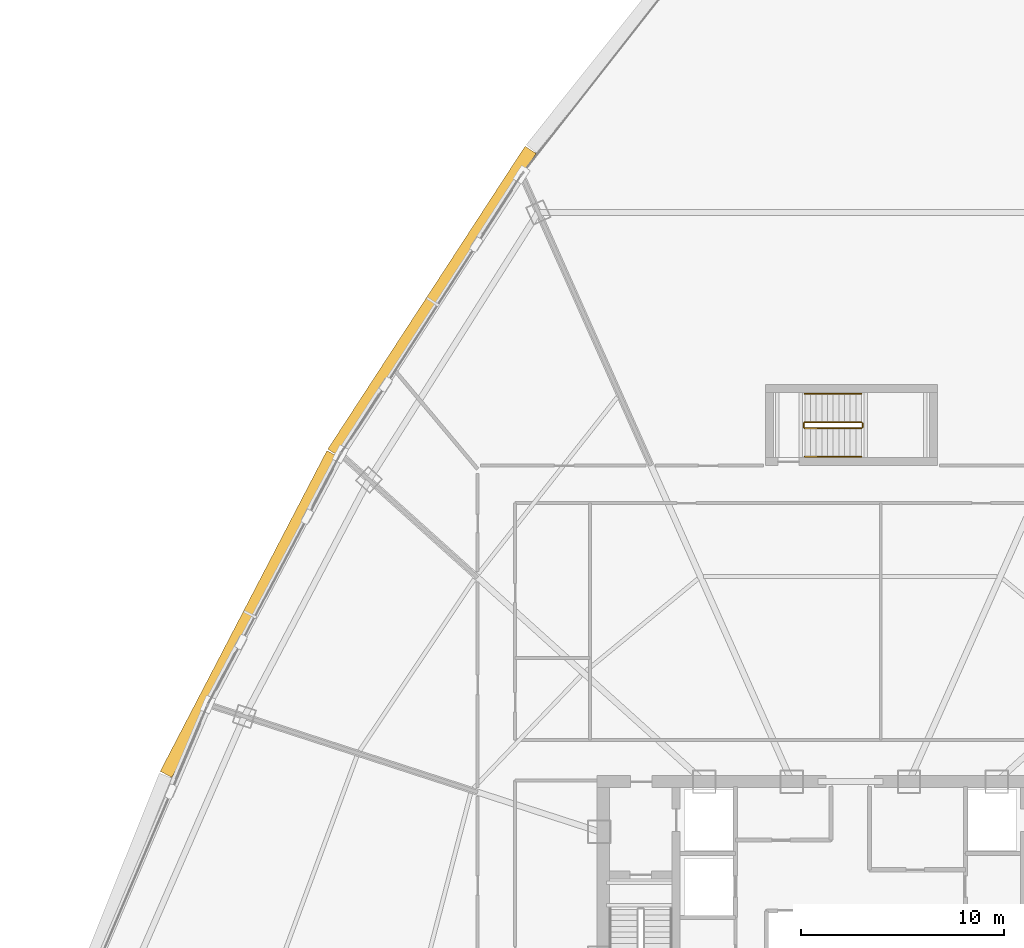
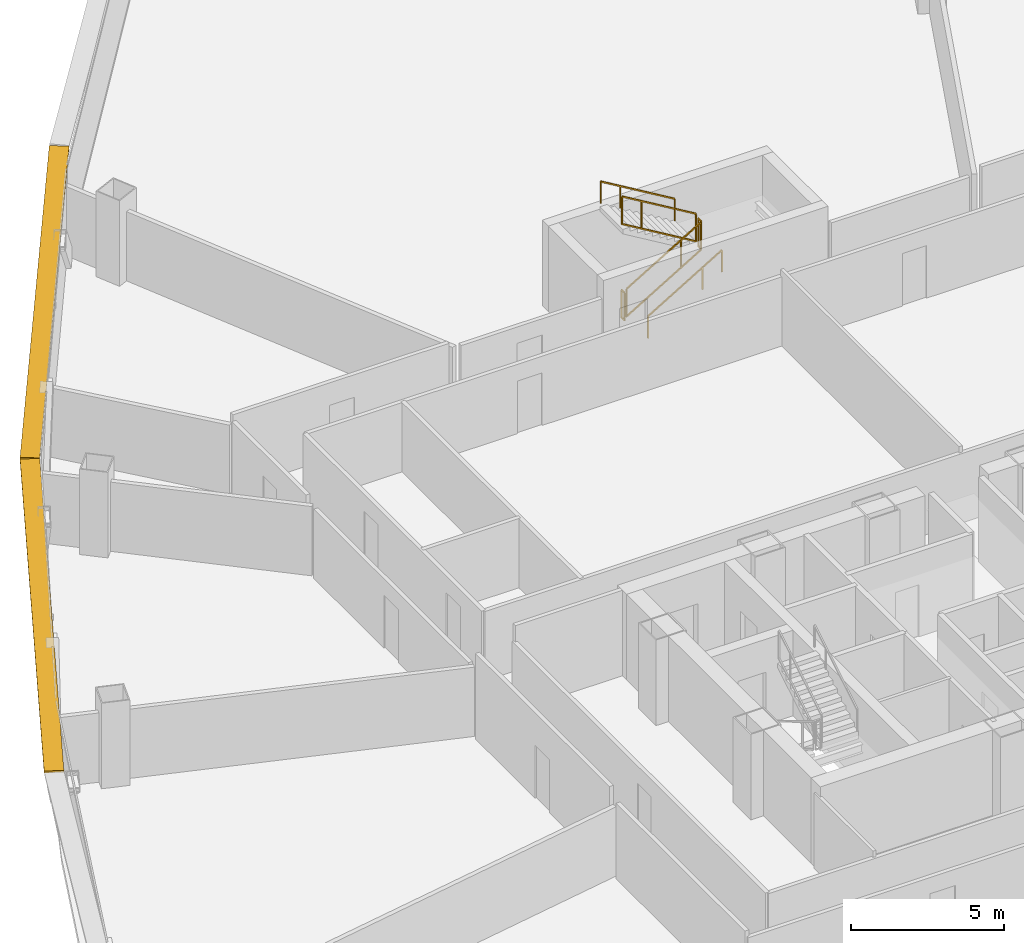
# One storey, part 41 of 42: 6 railings, 2 shading devices.
"""IFC4 building model written with IfcOpenShell, lengths in metres."""

from ifc_helpers import new_model, si_unit, direction, frame, origin, origin_2d, place, context, subcontext, project, spatial, rectangle, extrude, source, transform, mapped, material, layer, layer_set, type_object, element, save


model = new_model("IFC4")

# Units and contexts
model_context = context("Model", 3, precision=1e-05, world=origin(), true_north=direction((0.0, 1.0)))
body_context = subcontext(model_context, "Body", "Model", "MODEL_VIEW")
ifc_project = project(units=[si_unit("LENGTHUNIT", "METRE"), si_unit("AREAUNIT", "SQUARE_METRE"), si_unit("VOLUMEUNIT", "CUBIC_METRE"), si_unit("PLANEANGLEUNIT", "RADIAN"), si_unit("MASSUNIT", "GRAM", prefix="KILO"), si_unit("THERMODYNAMICTEMPERATUREUNIT", "KELVIN"), si_unit("POWERUNIT", "WATT")], contexts=[model_context])

# Site, building, storey
site_placement = place(None, origin())
site = spatial("IfcSite", under=ifc_project, at=site_placement, CompositionType="ELEMENT")
building_placement = place(site_placement, origin())
building = spatial("IfcBuilding", under=site, at=building_placement, Name="Yunzhuo Pagoda Commons", CompositionType="ELEMENT")
storey_placement = place(building_placement, frame((0.0, 0.0, 129.830078125)))
storey = spatial("IfcBuildingStorey", under=building, at=storey_placement, Name="L32", CompositionType="ELEMENT", Elevation=129.830078125)

# Railings
ifc_material = material(Name="Anodized aluminium 6063-T6", Category="aluminium")
railing_type_1 = type_object("IfcRailingType", Name="GR-ST3 North Well Guardrail 1155", PredefinedType="GUARDRAIL", material=ifc_material)
railing_1_placement = place(storey_placement, frame((45.75, 57.64990234375, 0.167236328125)))
element("IfcRailing", 1, at=railing_1_placement, inside=storey, type_object=railing_type_1, Name="L32 ST3 stair guard 1", PredefinedType="GUARDRAIL", context=body_context, shape_type="SweptSolid", body=[
    extrude(rectangle(XDim=0.048095703125, YDim=0.048095703125, at=origin_2d()), frame((0.0, 0.0, 1.1259765625), z_axis=(0.858495211305, 0.0, 0.512821579271), x_axis=(0.0, 1.0, 0.0)), (0.0, 0.0, 1.0), 3.261474609375),
    extrude(rectangle(XDim=0.048095703125, YDim=0.048095703125, at=origin_2d()), frame((0.0, 0.0, 0.02392578125), z_axis=(0.858495211305, 0.0, 0.512821579271), x_axis=(0.0, 1.0, 0.0)), (0.0, 0.0, 1.0), 3.261474609375),
    extrude(rectangle(XDim=0.0419921875, YDim=0.0419921875, at=origin_2d()), origin(), (0.0, 0.0, 1.0), 1.101806640625),
    extrude(rectangle(XDim=0.0419921875, YDim=0.0419921875, at=origin_2d()), frame((2.060302734375, 0.0, 1.230712890625)), (0.0, 0.0, 1.0), 1.101806640625),
    extrude(rectangle(XDim=0.0419921875, YDim=0.0419921875, at=origin_2d()), frame((2.800048828125, 0.0, 1.672607421875)), (0.0, 0.0, 1.0), 1.101806640625),
])
railing_2_placement = place(storey_placement, frame((48.60009765625, 57.699951171875, 1.83984375)))
element("IfcRailing", 2, at=railing_2_placement, inside=storey, type_object=railing_type_1, Name="L32 ST3 stair guard 2", PredefinedType="GUARDRAIL", context=body_context, shape_type="SweptSolid", body=[
    extrude(rectangle(XDim=0.048095703125, YDim=0.048095703125, at=origin_2d()), frame((0.0, 0.0, 1.1259765625), z_axis=(0.0, 1.0, 0.0), x_axis=(-1.0, 0.0, 0.0)), (0.0, 0.0, 1.0), 0.199951171875),
    extrude(rectangle(XDim=0.048095703125, YDim=0.048095703125, at=origin_2d()), frame((0.0, 0.0, 0.02392578125), z_axis=(0.0, 1.0, 0.0), x_axis=(-1.0, 0.0, 0.0)), (0.0, 0.0, 1.0), 0.199951171875),
    extrude(rectangle(XDim=0.0419921875, YDim=0.0419921875, at=origin_2d()), origin(), (0.0, 0.0, 1.0), 1.101806640625),
    extrude(rectangle(XDim=0.0419921875, YDim=0.0419921875, at=origin_2d()), frame((0.0, 0.199951171875, 0.0)), (0.0, 0.0, 1.0), 1.101806640625),
])
railing_3_placement = place(storey_placement, frame((48.550048828125, 57.949951171875, 2.007080078125)))
element("IfcRailing", 3, at=railing_3_placement, inside=storey, type_object=railing_type_1, Name="L32 ST3 stair guard 3", PredefinedType="GUARDRAIL", context=body_context, shape_type="SweptSolid", body=[
    extrude(rectangle(XDim=0.048095703125, YDim=0.048095703125, at=origin_2d()), frame((0.0, 0.0, 1.1259765625), z_axis=(-0.858462256164, 0.0, 0.512876744201), x_axis=(0.0, -1.0, 0.0)), (0.0, 0.0, 1.0), 3.26171875),
    extrude(rectangle(XDim=0.048095703125, YDim=0.048095703125, at=origin_2d()), frame((0.0, 0.0, 0.02392578125), z_axis=(-0.858462256164, 0.0, 0.512876744201), x_axis=(0.0, -1.0, 0.0)), (0.0, 0.0, 1.0), 3.26171875),
    extrude(rectangle(XDim=0.0419921875, YDim=0.0419921875, at=origin_2d()), origin(), (0.0, 0.0, 1.0), 1.101806640625),
    extrude(rectangle(XDim=0.0419921875, YDim=0.0419921875, at=origin_2d()), frame((-2.060302734375, 0.0, 1.23095703125)), (0.0, 0.0, 1.0), 1.101806640625),
    extrude(rectangle(XDim=0.0419921875, YDim=0.0419921875, at=origin_2d()), frame((-2.800048828125, 0.0, 1.6728515625)), (0.0, 0.0, 1.0), 1.101806640625),
])
railing_4_placement = place(storey_placement, frame((45.699951171875, 57.699951171875, 0.0)))
element("IfcRailing", 4, at=railing_4_placement, inside=storey, type_object=railing_type_1, Name="L32 ST3 stair guard 4", PredefinedType="GUARDRAIL", context=body_context, shape_type="SweptSolid", body=[
    extrude(rectangle(XDim=0.048095703125, YDim=0.048095703125, at=origin_2d()), frame((0.0, 0.0, 1.1259765625), z_axis=(0.0, 1.0, 0.0), x_axis=(-1.0, 0.0, 0.0)), (0.0, 0.0, 1.0), 0.199951171875),
    extrude(rectangle(XDim=0.048095703125, YDim=0.048095703125, at=origin_2d()), frame((0.0, 0.0, 0.02392578125), z_axis=(0.0, 1.0, 0.0), x_axis=(-1.0, 0.0, 0.0)), (0.0, 0.0, 1.0), 0.199951171875),
    extrude(rectangle(XDim=0.0419921875, YDim=0.0419921875, at=origin_2d()), origin(), (0.0, 0.0, 1.0), 1.101806640625),
    extrude(rectangle(XDim=0.0419921875, YDim=0.0419921875, at=origin_2d()), frame((0.0, 0.199951171875, 0.0)), (0.0, 0.0, 1.0), 1.101806640625),
])
railing_type_2 = type_object("IfcRailingType", Name="HR-ST3 North Stair Handrail 900", PredefinedType="HANDRAIL", material=ifc_material)
railing_5_placement = place(storey_placement, frame((45.75, 56.25, 0.167236328125)))
element("IfcRailing", 5, at=railing_5_placement, inside=storey, type_object=railing_type_2, Name="L32 ST3 stair handrail 1", PredefinedType="HANDRAIL", context=body_context, shape_type="SweptSolid", body=[
    extrude(rectangle(XDim=0.048095703125, YDim=0.048095703125, at=origin_2d()), frame((0.0, 0.0, 0.8759765625), z_axis=(0.858495211305, 0.0, 0.512821579271), x_axis=(0.0, 1.0, 0.0)), (0.0, 0.0, 1.0), 3.261474609375),
    extrude(rectangle(XDim=0.0419921875, YDim=0.0419921875, at=origin_2d()), origin(), (0.0, 0.0, 1.0), 0.851806640625),
    extrude(rectangle(XDim=0.0419921875, YDim=0.0419921875, at=origin_2d()), frame((2.060302734375, 0.0, 1.230712890625)), (0.0, 0.0, 1.0), 0.851806640625),
    extrude(rectangle(XDim=0.0419921875, YDim=0.0419921875, at=origin_2d()), frame((2.800048828125, 0.0, 1.672607421875)), (0.0, 0.0, 1.0), 0.851806640625),
])
railing_6_placement = place(storey_placement, frame((48.550048828125, 59.35009765625, 2.007080078125)))
element("IfcRailing", 6, at=railing_6_placement, inside=storey, type_object=railing_type_2, Name="L32 ST3 stair handrail 2", PredefinedType="HANDRAIL", context=body_context, shape_type="SweptSolid", body=[
    extrude(rectangle(XDim=0.048095703125, YDim=0.048095703125, at=origin_2d()), frame((0.0, 0.0, 0.8759765625), z_axis=(-0.858462256164, 0.0, 0.512876744201), x_axis=(0.0, -1.0, 0.0)), (0.0, 0.0, 1.0), 3.26171875),
    extrude(rectangle(XDim=0.0419921875, YDim=0.0419921875, at=origin_2d()), origin(), (0.0, 0.0, 1.0), 0.851806640625),
    extrude(rectangle(XDim=0.0419921875, YDim=0.0419921875, at=origin_2d()), frame((-2.060302734375, 0.0, 1.23095703125)), (0.0, 0.0, 1.0), 0.851806640625),
    extrude(rectangle(XDim=0.0419921875, YDim=0.0419921875, at=origin_2d()), frame((-2.800048828125, 0.0, 1.6728515625)), (0.0, 0.0, 1.0), 0.851806640625),
])

# Shading devices
ifc_layer = layer(ifc_material, 0.080078125)
ifc_layer_set = layer_set([ifc_layer], Name="Anodized aluminium 6063-T6")
shading_device_type = type_object("IfcShadingDeviceType", Name="SH-SUN1 Pagoda Horizontal Sunshade Eave 650", PredefinedType="USERDEFINED", material=ifc_layer_set)
shared_shape = source(origin(), body_context, "Body", "SweptSolid", [
    extrude(rectangle(XDim=17.840087890625, YDim=0.64990234375, at=origin_2d()), origin(), (0.0, 0.0, 1.0), 0.080078125),
])
for number, where, z_axis, x_axis, name in (
    (7, (27.344482421875, 63.915771484375, 3.33984375), (0.0, 0.0, 1.0), (-0.545838756973, -0.837890238269, 0.0), "L32 horizontal pagoda sunshade eave F3.2"),
    (8, (18.32958984375, 48.472412109375, 3.33984375), (0.0, 0.0, 1.0), (-0.461206683033, -0.88729273384, 0.0), "L32 horizontal pagoda sunshade eave F3.3"),
):
    element("IfcShadingDevice", number, at=place(storey_placement, frame(where, z_axis=z_axis, x_axis=x_axis)), inside=storey, type_object=shading_device_type, Name=name, ObjectType="SUNSHADE", PredefinedType="USERDEFINED", context=body_context, shape_type="MappedRepresentation", body=[
        mapped(shared_shape, transform((0.0, 0.0, 0.0), scale=1.0)),
    ])

save(model, "model.ifc")
